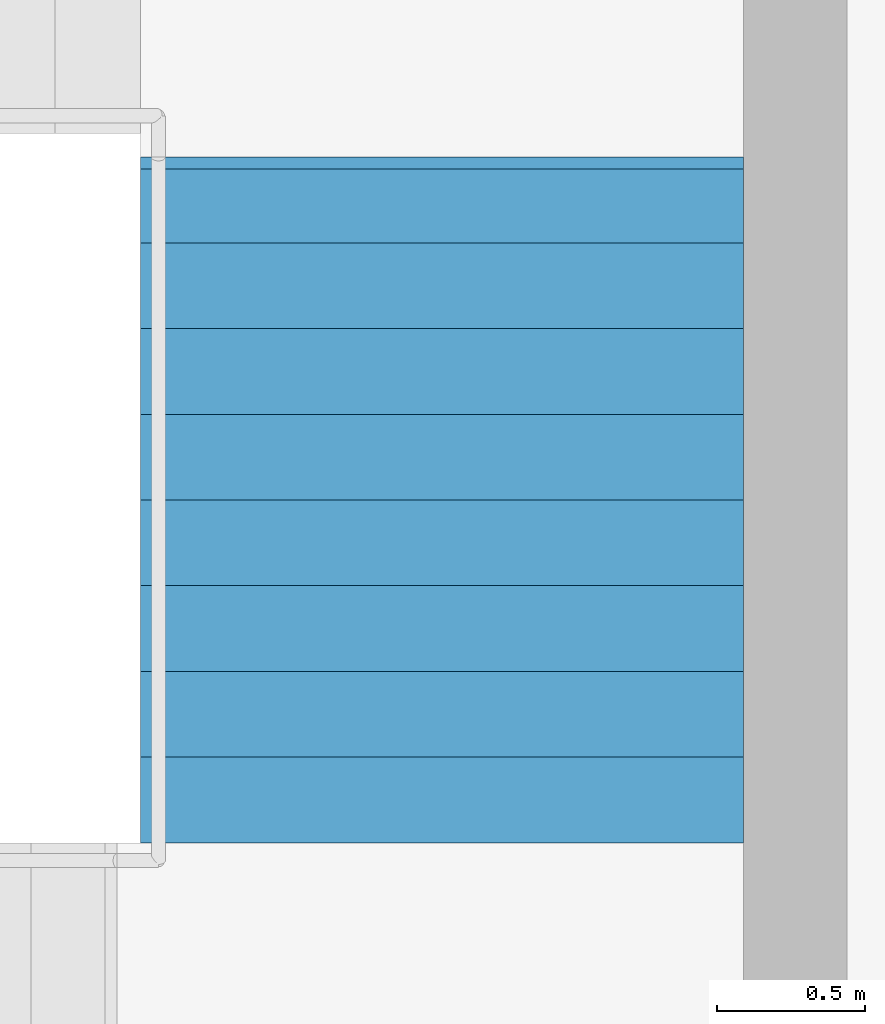
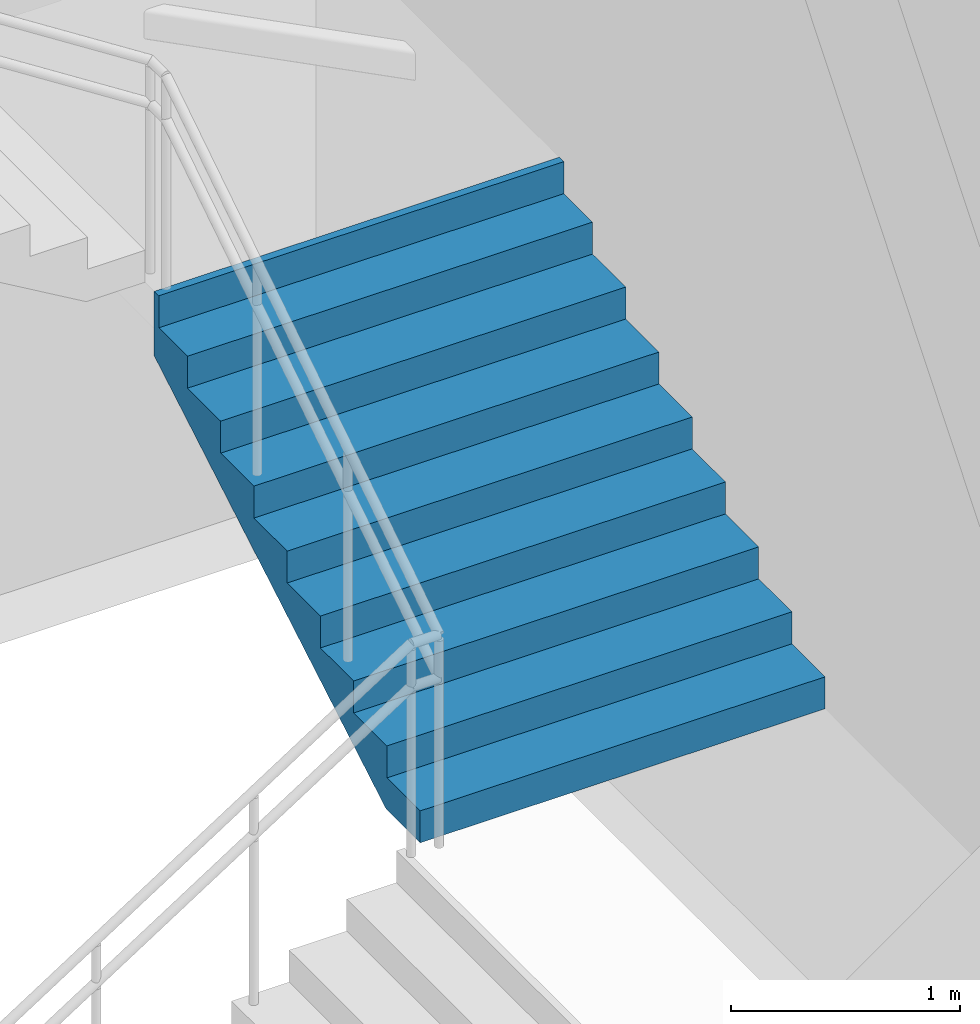
# One storey, part 48 of 58: 1 stair flight, 1 element without a shape of its own.
"""IFC4 building model written with IfcOpenShell, lengths in metres."""

import ifcopenshell
import ifcopenshell.guid

model = None  # the IFC model being written
_history = None  # IfcOwnerHistory: only IFC2X3 demands one
_inside = {}  # id of a spatial element -> (the spatial element, [elements in it])
_under = {}  # id of a project, library or spatial element -> (it, [spatial elements below it])
_declared = {}  # id of a project -> (the project, [libraries it declares])
_typed = {}  # id of a type object -> (the type object, [elements of that type])
_made_of = {}  # id of a material, layer set ... -> (it, [elements and type objects made of it])


def new_model(schema):
    """Start an empty IFC model of exactly this schema.

    Asked for "IFC4X3", IfcOpenShell would pick the latest addendum, in which some entities
    have other attributes; the version numbers below select the first issue.
    IFC2X3 requires an IfcOwnerHistory on every rooted entity: one is made here for all.
    """
    global model, _history
    if schema == "IFC4X3":
        model = ifcopenshell.file(schema_version=(4, 3, 0, 0))
    else:
        model = ifcopenshell.file(schema=schema)
    _inside.clear()
    _under.clear()
    _declared.clear()
    _typed.clear()
    _made_of.clear()
    _history = None
    if model.schema == "IFC2X3":
        org = make("IfcOrganization", Name="unknown")
        user = make(
            "IfcPersonAndOrganization",
            ThePerson=make("IfcPerson", FamilyName="unknown"),
            TheOrganization=org,
        )
        app = make(
            "IfcApplication",
            ApplicationDeveloper=org,
            Version="unknown",
            ApplicationFullName="unknown",
            ApplicationIdentifier="unknown",
        )
        _history = make(
            "IfcOwnerHistory",
            OwningUser=user,
            OwningApplication=app,
            ChangeAction="ADDED",
            CreationDate=0,
        )
    return model


def make(cls, **values):
    """One entity of the class cls with the attributes given. An attribute that is None is left unset."""
    return model.create_entity(
        cls, **{name: value for name, value in values.items() if value is not None}
    )


def rooted(cls, **values):
    """An entity with a GlobalId (a new one), such as an element, a storey or a relation."""
    return make(cls, GlobalId=ifcopenshell.guid.new(), OwnerHistory=_history, **values)


def si_unit(unit_type, name, prefix=None):
    """IfcSIUnit, for example si_unit("LENGTHUNIT", "METRE", prefix="MILLI")."""
    return make("IfcSIUnit", UnitType=unit_type, Prefix=prefix, Name=name)


def assignment(units):
    """IfcUnitAssignment: the units of a project."""
    return None if units is None else make("IfcUnitAssignment", Units=units)


def point(xyz):
    """IfcCartesianPoint."""
    return None if xyz is None else make("IfcCartesianPoint", Coordinates=xyz)


def direction(xyz):
    """IfcDirection."""
    return None if xyz is None else make("IfcDirection", DirectionRatios=xyz)


def frame(location, z_axis=None, x_axis=None):
    """IfcAxis2Placement3D, a coordinate frame: its origin and axes. An axis left out is left unset."""
    return make(
        "IfcAxis2Placement3D",
        Location=point(location),
        Axis=direction(z_axis),
        RefDirection=direction(x_axis),
    )


def origin():
    """The frame at (0, 0, 0) with its axes left unset."""
    return frame((0.0, 0.0, 0.0))


def place(relative_to, where):
    """IfcLocalPlacement: puts the frame where relative to a parent placement (None: the world)."""
    return make(
        "IfcLocalPlacement", PlacementRelTo=relative_to, RelativePlacement=where
    )


def context(
    kind, dimensions, precision=None, world=None, true_north=None, identifier=None
):
    """IfcGeometricRepresentationContext, for example the 3D "Model" context."""
    return make(
        "IfcGeometricRepresentationContext",
        ContextIdentifier=identifier,
        ContextType=kind,
        CoordinateSpaceDimension=dimensions,
        Precision=precision,
        WorldCoordinateSystem=world,
        TrueNorth=true_north,
    )


def subcontext(parent, identifier, kind, view, scale=None):
    """IfcGeometricRepresentationSubContext, for example "Body" below "Model"."""
    return make(
        "IfcGeometricRepresentationSubContext",
        ContextIdentifier=identifier,
        ContextType=kind,
        ParentContext=parent,
        TargetScale=scale,
        TargetView=view,
    )


def project(units=None, contexts=None):
    """IfcProject with its units and contexts."""
    return rooted(
        "IfcProject",
        Name="project",
        RepresentationContexts=contexts,
        UnitsInContext=assignment(units),
    )


def spatial(cls, under=None, at=None, **own):
    """A site, building, storey or space (cls), placed at a placement, below another one or the project."""
    s = rooted(cls, ObjectPlacement=at, **own)
    if under is not None:
        _under.setdefault(under.id(), (under, []))[1].append(s)
    return s


def point_list(points):
    """IfcCartesianPointList2D or 3D."""
    cls = (
        "IfcCartesianPointList2D" if len(points[0]) == 2 else "IfcCartesianPointList3D"
    )
    return make(cls, CoordList=points)


def triangles(points, corners, closed=None, point_numbers=None):
    """IfcTriangulatedFaceSet: each triangle names its three corners, points numbered from 1."""
    return make(
        "IfcTriangulatedFaceSet",
        Coordinates=point_list(points),
        Closed=closed,
        CoordIndex=corners,
        PnIndex=point_numbers,
    )


def shape(context_of_items, identifier, shape_type, items):
    """IfcShapeRepresentation: the items that make up one representation, for example the "Body"."""
    return make(
        "IfcShapeRepresentation",
        ContextOfItems=context_of_items,
        RepresentationIdentifier=identifier,
        RepresentationType=shape_type,
        Items=items,
    )


def material(Name=None, Category=None):
    """IfcMaterial."""
    return make("IfcMaterial", Name=Name, Category=Category)


def made_of(thing, what):
    """Note that an element or type object is made of a material, layer set ...; save() writes the relation."""
    if what is not None:
        _made_of.setdefault(what.id(), (what, []))[1].append(thing)
    return thing


def type_object(cls, material=None, **own):
    """A type object (cls), such as IfcWallType, which elements share."""
    return made_of(rooted(cls, **own), material)


def element(
    cls,
    number,
    at=None,
    inside=None,
    cuts=None,
    type_object=None,
    material=None,
    context=None,
    identifier="Body",
    shape_type=None,
    held_by="IfcProductDefinitionShape",
    body=None,
    shapes=None,
    **own,
):
    """One element of the class cls, such as IfcWall. Its Tag is "e" and its number.

    at: its placement. inside: the storey or other place that contains it. cuts: it is an
    opening in that element (IfcRelVoidsElement). A single representation is given by context,
    identifier, shape_type and body (its items); several are given by shapes. held_by: the class
    of the entity that holds the representations. save() writes the other relations.
    """
    e = rooted(cls, Tag="e%d" % number, ObjectPlacement=at, **own)
    if body is not None:
        shapes = [shape(context, identifier, shape_type, body)]
    if shapes is not None:
        e.Representation = make(held_by, Representations=shapes)
    if inside is not None:
        _inside.setdefault(inside.id(), (inside, []))[1].append(e)
    if cuts is not None:
        rooted(
            "IfcRelVoidsElement", RelatingBuildingElement=cuts, RelatedOpeningElement=e
        )
    if type_object is not None:
        _typed.setdefault(type_object.id(), (type_object, []))[1].append(e)
    return made_of(e, material)


def aggregate(whole, parts):
    """IfcRelAggregates: a whole, such as a stair, and the parts it consists of."""
    return rooted("IfcRelAggregates", RelatingObject=whole, RelatedObjects=parts)


def save(model, path):
    """Write the relations noted so far, then the file.

    IfcRelAggregates (storeys below a building ...), IfcRelContainedInSpatialStructure (elements
    in a storey), IfcRelDefinesByType, IfcRelAssociatesMaterial and IfcRelDeclares: one each for
    every whole, place, type object, material and project.
    """
    for whole, parts in _under.values():
        aggregate(whole, parts)
    for where, things in _inside.values():
        rooted(
            "IfcRelContainedInSpatialStructure",
            RelatedElements=things,
            RelatingStructure=where,
        )
    for kind, things in _typed.values():
        rooted("IfcRelDefinesByType", RelatedObjects=things, RelatingType=kind)
    for what, things in _made_of.values():
        rooted("IfcRelAssociatesMaterial", RelatedObjects=things, RelatingMaterial=what)
    for by, libraries in _declared.values():
        rooted("IfcRelDeclares", RelatingContext=by, RelatedDefinitions=libraries)
    model.write(path)


model = new_model("IFC4")

# Units and contexts
model_context = context("Model", 3, precision=1e-05, world=origin(), true_north=direction((0.0, 1.0)))
body_context = subcontext(model_context, "Body", "Model", "MODEL_VIEW")
ifc_project = project(units=[si_unit("LENGTHUNIT", "METRE"), si_unit("AREAUNIT", "SQUARE_METRE"), si_unit("VOLUMEUNIT", "CUBIC_METRE"), si_unit("PLANEANGLEUNIT", "RADIAN"), si_unit("MASSUNIT", "GRAM", prefix="KILO")], contexts=[model_context])

# Site, building, storey
site_placement = place(None, origin())
site = spatial("IfcSite", under=ifc_project, at=site_placement, CompositionType="ELEMENT")
building_placement = place(site_placement, origin())
building = spatial("IfcBuilding", under=site, at=building_placement, Name="Sillaruma Civic Art Gallery", CompositionType="ELEMENT")
storey_placement = place(building_placement, frame((0.0, 0.0, 22.43994140625)))
storey = spatial("IfcBuildingStorey", under=building, at=storey_placement, Name="L04", CompositionType="ELEMENT", Elevation=22.43994140625)

# Stair, stair flight
ifc_material = material(Name="Concrete H35 (35 MPa)", Category="concrete")
stair_type = type_object("IfcStairType", Name="STR-4F-36", PredefinedType="USERDEFINED", material=ifc_material)
stair_placement = place(storey_placement, origin())
stair = element("IfcStair", 1, at=stair_placement, inside=storey, type_object=stair_type, Name="Protected Exit Stair ST-04 (East Bar) (L04)", ObjectType="THREE_RETURN_STAIR", PredefinedType="USERDEFINED")
stair_flight_type = type_object("IfcStairFlightType", Name="SFL-STR-9", PredefinedType="STRAIGHT", material=ifc_material)
stair_flight_placement = place(storey_placement, frame((104.320068359375, 53.25, 1.530029296875), z_axis=(0.0, 0.0, 1.0), x_axis=(0.0, 1.0, 0.0)))
stair_flight = element("IfcStairFlight", 2, at=stair_flight_placement, type_object=stair_flight_type, Name="ST-04 flight 2", NumberOfRisers=9, NumberOfTreads=8, PredefinedType="STRAIGHT", RiserHeight=0.17, TreadLength=0.29, context=body_context, shape_type="Tessellation", body=[
    triangles([(0.0, -1.02001953125, 0.0), (0.29, -1.02001953125, 0.0), (0.296482, -1.02001953125, 0.0), (0.58, -1.02001953125, 0.1662), (0.87, -1.02001953125, 0.3362), (1.16, -1.02001953125, 0.5062), (1.45, -1.02001953125, 0.6762), (1.74, -1.02001953125, 0.8462), (2.03, -1.02001953125, 1.0162), (2.280068, -1.02001953125, 1.162792), (2.320068, -1.02001953125, 1.18624), (2.320068, -1.02001953125, 1.53), (2.280068, -1.02001953125, 1.53), (2.280068, -1.02001953125, 1.36), (2.03, -1.02001953125, 1.36), (2.03, -1.02001953125, 1.19), (1.74, -1.02001953125, 1.19), (1.74, -1.02001953125, 1.02), (1.45, -1.02001953125, 1.02), (1.45, -1.02001953125, 0.85), (1.16, -1.02001953125, 0.85), (1.16, -1.02001953125, 0.68), (0.87, -1.02001953125, 0.68), (0.87, -1.02001953125, 0.51), (0.58, -1.02001953125, 0.51), (0.58, -1.02001953125, 0.34), (0.296482, -1.02001953125, 0.34), (0.29, -1.02001953125, 0.34), (0.29, -1.02001953125, 0.17), (0.0, -1.02001953125, 0.17), (0.0, -0.05, 0.0), (0.29, -0.05, 0.0), (0.296482, -0.05, 0.0), (0.58, -0.05, 0.1662), (0.87, -0.05, 0.3362), (1.16, -0.05, 0.5062), (1.45, -0.05, 0.6762), (1.74, -0.05, 0.8462), (2.03, -0.05, 1.0162), (2.280068, -0.05, 1.162792), (2.320068, -0.05, 1.18624), (2.320068, -0.05, 1.53), (2.280068, -0.05, 1.53), (2.280068, -0.05, 1.36), (2.03, -0.05, 1.36), (2.03, -0.05, 1.19), (1.74, -0.05, 1.19), (1.74, -0.05, 1.02), (1.45, -0.05, 1.02), (1.45, -0.05, 0.85), (1.16, -0.05, 0.85), (1.16, -0.05, 0.68), (0.87, -0.05, 0.68), (0.87, -0.05, 0.51), (0.58, -0.05, 0.51), (0.58, -0.05, 0.34), (0.296482, -0.05, 0.34), (0.29, -0.05, 0.34), (0.29, -0.05, 0.17), (0.0, -0.05, 0.17), (0.0, -0.0375, 0.0), (0.29, -0.0375, 0.0), (0.296482, -0.0375, 0.0), (0.58, -0.0375, 0.1662), (0.87, -0.0375, 0.3362), (1.16, -0.0375, 0.5062), (1.45, -0.0375, 0.6762), (1.74, -0.0375, 0.8462), (2.03, -0.0375, 1.0162), (2.280068, -0.0375, 1.162792), (2.320068, -0.0375, 1.18624), (2.320068, -0.0375, 1.53), (2.280068, -0.0375, 1.53), (2.280068, -0.0375, 1.36), (2.03, -0.0375, 1.36), (2.03, -0.0375, 1.19), (1.74, -0.0375, 1.19), (1.74, -0.0375, 1.02), (1.45, -0.0375, 1.02), (1.45, -0.0375, 0.85), (1.16, -0.0375, 0.85), (1.16, -0.0375, 0.68), (0.87, -0.0375, 0.68), (0.87, -0.0375, 0.51), (0.58, -0.0375, 0.51), (0.58, -0.0375, 0.34), (0.296482, -0.0375, 0.34), (0.29, -0.0375, 0.34), (0.29, -0.0375, 0.17), (0.0, -0.0375, 0.17), (0.0, -0.025, 0.0), (0.29, -0.025, 0.0), (0.296482, -0.025, 0.0), (0.58, -0.025, 0.1662), (0.87, -0.025, 0.3362), (1.16, -0.025, 0.5062), (1.45, -0.025, 0.6762), (1.74, -0.025, 0.8462), (2.03, -0.025, 1.0162), (2.280068, -0.025, 1.162792), (2.320068, -0.025, 1.18624), (2.320068, -0.025, 1.53), (2.280068, -0.025, 1.53), (2.280068, -0.025, 1.36), (2.03, -0.025, 1.36), (2.03, -0.025, 1.19), (1.74, -0.025, 1.19), (1.74, -0.025, 1.02), (1.45, -0.025, 1.02), (1.45, -0.025, 0.85), (1.16, -0.025, 0.85), (1.16, -0.025, 0.68), (0.87, -0.025, 0.68), (0.87, -0.025, 0.51), (0.58, -0.025, 0.51), (0.58, -0.025, 0.34), (0.296482, -0.025, 0.34), (0.29, -0.025, 0.34), (0.29, -0.025, 0.17), (0.0, -0.025, 0.17), (0.0, -0.0125, 0.0), (0.29, -0.0125, 0.0), (0.296482, -0.0125, 0.0), (0.58, -0.0125, 0.1662), (0.87, -0.0125, 0.3362), (1.16, -0.0125, 0.5062), (1.45, -0.0125, 0.6762), (1.74, -0.0125, 0.8462), (2.03, -0.0125, 1.0162), (2.280068, -0.0125, 1.162792), (2.320068, -0.0125, 1.18624), (2.320068, -0.0125, 1.53), (2.280068, -0.0125, 1.53), (2.280068, -0.0125, 1.36), (2.03, -0.0125, 1.36), (2.03, -0.0125, 1.19), (1.74, -0.0125, 1.19), (1.74, -0.0125, 1.02), (1.45, -0.0125, 1.02), (1.45, -0.0125, 0.85), (1.16, -0.0125, 0.85), (1.16, -0.0125, 0.68), (0.87, -0.0125, 0.68), (0.87, -0.0125, 0.51), (0.58, -0.0125, 0.51), (0.58, -0.0125, 0.34), (0.296482, -0.0125, 0.34), (0.29, -0.0125, 0.34), (0.29, -0.0125, 0.17), (0.0, -0.0125, 0.17), (0.0, 0.0, 0.0), (0.29, 0.0, 0.0), (0.296482, 0.0, 0.0), (0.58, 0.0, 0.1662), (0.87, 0.0, 0.3362), (1.16, 0.0, 0.5062), (1.45, 0.0, 0.6762), (1.74, 0.0, 0.8462), (2.03, 0.0, 1.0162), (2.280068, 0.0, 1.162792), (2.320068, 0.0, 1.18624), (2.320068, 0.0, 1.53), (2.280068, 0.0, 1.53), (2.280068, 0.0, 1.36), (2.03, 0.0, 1.36), (2.03, 0.0, 1.19), (1.74, 0.0, 1.19), (1.74, 0.0, 1.02), (1.45, 0.0, 1.02), (1.45, 0.0, 0.85), (1.16, 0.0, 0.85), (1.16, 0.0, 0.68), (0.87, 0.0, 0.68), (0.87, 0.0, 0.51), (0.58, 0.0, 0.51), (0.58, 0.0, 0.34), (0.296482, 0.0, 0.34), (0.29, 0.0, 0.34), (0.29, 0.0, 0.17), (0.0, 0.0, 0.17), (0.0, 0.0125, 0.0), (0.29, 0.0125, 0.0), (0.296482, 0.0125, 0.0), (0.58, 0.0125, 0.1662), (0.87, 0.0125, 0.3362), (1.16, 0.0125, 0.5062), (1.45, 0.0125, 0.6762), (1.74, 0.0125, 0.8462), (2.03, 0.0125, 1.0162), (2.280068, 0.0125, 1.162792), (2.320068, 0.0125, 1.18624), (2.320068, 0.0125, 1.53), (2.280068, 0.0125, 1.53), (2.280068, 0.0125, 1.36), (2.03, 0.0125, 1.36), (2.03, 0.0125, 1.19), (1.74, 0.0125, 1.19), (1.74, 0.0125, 1.02), (1.45, 0.0125, 1.02), (1.45, 0.0125, 0.85), (1.16, 0.0125, 0.85), (1.16, 0.0125, 0.68), (0.87, 0.0125, 0.68), (0.87, 0.0125, 0.51), (0.58, 0.0125, 0.51), (0.58, 0.0125, 0.34), (0.296482, 0.0125, 0.34), (0.29, 0.0125, 0.34), (0.29, 0.0125, 0.17), (0.0, 0.0125, 0.17), (0.0, 0.025, 0.0), (0.29, 0.025, 0.0), (0.296482, 0.025, 0.0), (0.58, 0.025, 0.1662), (0.87, 0.025, 0.3362), (1.16, 0.025, 0.5062), (1.45, 0.025, 0.6762), (1.74, 0.025, 0.8462), (2.03, 0.025, 1.0162), (2.280068, 0.025, 1.162792), (2.320068, 0.025, 1.18624), (2.320068, 0.025, 1.53), (2.280068, 0.025, 1.53), (2.280068, 0.025, 1.36), (2.03, 0.025, 1.36), (2.03, 0.025, 1.19), (1.74, 0.025, 1.19), (1.74, 0.025, 1.02), (1.45, 0.025, 1.02), (1.45, 0.025, 0.85), (1.16, 0.025, 0.85), (1.16, 0.025, 0.68), (0.87, 0.025, 0.68), (0.87, 0.025, 0.51), (0.58, 0.025, 0.51), (0.58, 0.025, 0.34), (0.296482, 0.025, 0.34), (0.29, 0.025, 0.34), (0.29, 0.025, 0.17), (0.0, 0.025, 0.17), (0.0, 0.0375, 0.0), (0.29, 0.0375, 0.0), (0.296482, 0.0375, 0.0), (0.58, 0.0375, 0.1662), (0.87, 0.0375, 0.3362), (1.16, 0.0375, 0.5062), (1.45, 0.0375, 0.6762), (1.74, 0.0375, 0.8462), (2.03, 0.0375, 1.0162), (2.280068, 0.0375, 1.162792), (2.320068, 0.0375, 1.18624), (2.320068, 0.0375, 1.53), (2.280068, 0.0375, 1.53), (2.280068, 0.0375, 1.36), (2.03, 0.0375, 1.36), (2.03, 0.0375, 1.19), (1.74, 0.0375, 1.19), (1.74, 0.0375, 1.02), (1.45, 0.0375, 1.02), (1.45, 0.0375, 0.85), (1.16, 0.0375, 0.85), (1.16, 0.0375, 0.68), (0.87, 0.0375, 0.68), (0.87, 0.0375, 0.51), (0.58, 0.0375, 0.51), (0.58, 0.0375, 0.34), (0.296482, 0.0375, 0.34), (0.29, 0.0375, 0.34), (0.29, 0.0375, 0.17), (0.0, 0.0375, 0.17), (0.0, 0.05, 0.0), (0.29, 0.05, 0.0), (0.296482, 0.05, 0.0), (0.58, 0.05, 0.1662), (0.87, 0.05, 0.3362), (1.16, 0.05, 0.5062), (1.45, 0.05, 0.6762), (1.74, 0.05, 0.8462), (2.03, 0.05, 1.0162), (2.280068, 0.05, 1.162792), (2.320068, 0.05, 1.18624), (2.320068, 0.05, 1.53), (2.280068, 0.05, 1.53), (2.280068, 0.05, 1.36), (2.03, 0.05, 1.36), (2.03, 0.05, 1.19), (1.74, 0.05, 1.19), (1.74, 0.05, 1.02), (1.45, 0.05, 1.02), (1.45, 0.05, 0.85), (1.16, 0.05, 0.85), (1.16, 0.05, 0.68), (0.87, 0.05, 0.68), (0.87, 0.05, 0.51), (0.58, 0.05, 0.51), (0.58, 0.05, 0.34), (0.296482, 0.05, 0.34), (0.29, 0.05, 0.34), (0.29, 0.05, 0.17), (0.0, 0.05, 0.17), (0.0, 1.02001953125, 0.0), (0.29, 1.02001953125, 0.0), (0.296482, 1.02001953125, 0.0), (0.58, 1.02001953125, 0.1662), (0.87, 1.02001953125, 0.3362), (1.16, 1.02001953125, 0.5062), (1.45, 1.02001953125, 0.6762), (1.74, 1.02001953125, 0.8462), (2.03, 1.02001953125, 1.0162), (2.280068, 1.02001953125, 1.162792), (2.320068, 1.02001953125, 1.18624), (2.320068, 1.02001953125, 1.53), (2.280068, 1.02001953125, 1.53), (2.280068, 1.02001953125, 1.36), (2.03, 1.02001953125, 1.36), (2.03, 1.02001953125, 1.19), (1.74, 1.02001953125, 1.19), (1.74, 1.02001953125, 1.02), (1.45, 1.02001953125, 1.02), (1.45, 1.02001953125, 0.85), (1.16, 1.02001953125, 0.85), (1.16, 1.02001953125, 0.68), (0.87, 1.02001953125, 0.68), (0.87, 1.02001953125, 0.51), (0.58, 1.02001953125, 0.51), (0.58, 1.02001953125, 0.34), (0.296482, 1.02001953125, 0.34), (0.29, 1.02001953125, 0.34), (0.29, 1.02001953125, 0.17), (0.0, 1.02001953125, 0.17)], [[1, 2, 29], [1, 29, 30], [2, 3, 27], [2, 27, 29], [29, 27, 28], [3, 4, 26], [3, 26, 27], [4, 5, 24], [4, 24, 26], [26, 24, 25], [5, 6, 22], [5, 22, 24], [24, 22, 23], [6, 7, 20], [6, 20, 22], [22, 20, 21], [7, 8, 18], [7, 18, 20], [20, 18, 19], [8, 9, 16], [8, 16, 18], [18, 16, 17], [9, 10, 14], [9, 14, 16], [16, 14, 15], [10, 11, 12], [10, 12, 14], [14, 12, 13], [329, 302, 301], [330, 329, 301], [327, 303, 302], [329, 327, 302], [328, 327, 329], [326, 304, 303], [327, 326, 303], [324, 305, 304], [326, 324, 304], [325, 324, 326], [322, 306, 305], [324, 322, 305], [323, 322, 324], [320, 307, 306], [322, 320, 306], [321, 320, 322], [318, 308, 307], [320, 318, 307], [319, 318, 320], [316, 309, 308], [318, 316, 308], [317, 316, 318], [314, 310, 309], [316, 314, 309], [315, 314, 316], [312, 311, 310], [314, 312, 310], [313, 312, 314], [2, 1, 31], [2, 31, 32], [3, 2, 32], [3, 32, 33], [4, 3, 33], [4, 33, 34], [5, 4, 34], [5, 34, 35], [6, 5, 35], [6, 35, 36], [7, 6, 36], [7, 36, 37], [8, 7, 37], [8, 37, 38], [9, 8, 38], [9, 38, 39], [10, 9, 39], [10, 39, 40], [11, 10, 40], [11, 40, 41], [12, 11, 41], [12, 41, 42], [13, 12, 42], [13, 42, 43], [14, 13, 43], [14, 43, 44], [15, 14, 44], [15, 44, 45], [16, 15, 45], [16, 45, 46], [17, 16, 46], [17, 46, 47], [18, 17, 47], [18, 47, 48], [19, 18, 48], [19, 48, 49], [20, 19, 49], [20, 49, 50], [21, 20, 50], [21, 50, 51], [22, 21, 51], [22, 51, 52], [23, 22, 52], [23, 52, 53], [24, 23, 53], [24, 53, 54], [25, 24, 54], [25, 54, 55], [26, 25, 55], [26, 55, 56], [27, 26, 56], [27, 56, 57], [28, 27, 57], [28, 57, 58], [29, 28, 58], [29, 58, 59], [30, 29, 59], [30, 59, 60], [1, 30, 60], [1, 60, 31], [32, 31, 61], [32, 61, 62], [33, 32, 62], [33, 62, 63], [34, 33, 63], [34, 63, 64], [35, 34, 64], [35, 64, 65], [36, 35, 65], [36, 65, 66], [37, 36, 66], [37, 66, 67], [38, 37, 67], [38, 67, 68], [39, 38, 68], [39, 68, 69], [40, 39, 69], [40, 69, 70], [41, 40, 70], [41, 70, 71], [42, 41, 71], [42, 71, 72], [43, 42, 72], [43, 72, 73], [44, 43, 73], [44, 73, 74], [45, 44, 74], [45, 74, 75], [46, 45, 75], [46, 75, 76], [47, 46, 76], [47, 76, 77], [48, 47, 77], [48, 77, 78], [49, 48, 78], [49, 78, 79], [50, 49, 79], [50, 79, 80], [51, 50, 80], [51, 80, 81], [52, 51, 81], [52, 81, 82], [53, 52, 82], [53, 82, 83], [54, 53, 83], [54, 83, 84], [55, 54, 84], [55, 84, 85], [56, 55, 85], [56, 85, 86], [57, 56, 86], [57, 86, 87], [58, 57, 87], [58, 87, 88], [59, 58, 88], [59, 88, 89], [60, 59, 89], [60, 89, 90], [31, 60, 90], [31, 90, 61], [62, 61, 91], [62, 91, 92], [63, 62, 92], [63, 92, 93], [64, 63, 93], [64, 93, 94], [65, 64, 94], [65, 94, 95], [66, 65, 95], [66, 95, 96], [67, 66, 96], [67, 96, 97], [68, 67, 97], [68, 97, 98], [69, 68, 98], [69, 98, 99], [70, 69, 99], [70, 99, 100], [71, 70, 100], [71, 100, 101], [72, 71, 101], [72, 101, 102], [73, 72, 102], [73, 102, 103], [74, 73, 103], [74, 103, 104], [75, 74, 104], [75, 104, 105], [76, 75, 105], [76, 105, 106], [77, 76, 106], [77, 106, 107], [78, 77, 107], [78, 107, 108], [79, 78, 108], [79, 108, 109], [80, 79, 109], [80, 109, 110], [81, 80, 110], [81, 110, 111], [82, 81, 111], [82, 111, 112], [83, 82, 112], [83, 112, 113], [84, 83, 113], [84, 113, 114], [85, 84, 114], [85, 114, 115], [86, 85, 115], [86, 115, 116], [87, 86, 116], [87, 116, 117], [88, 87, 117], [88, 117, 118], [89, 88, 118], [89, 118, 119], [90, 89, 119], [90, 119, 120], [61, 90, 120], [61, 120, 91], [92, 91, 121], [92, 121, 122], [93, 92, 122], [93, 122, 123], [94, 93, 123], [94, 123, 124], [95, 94, 124], [95, 124, 125], [96, 95, 125], [96, 125, 126], [97, 96, 126], [97, 126, 127], [98, 97, 127], [98, 127, 128], [99, 98, 128], [99, 128, 129], [100, 99, 129], [100, 129, 130], [101, 100, 130], [101, 130, 131], [102, 101, 131], [102, 131, 132], [103, 102, 132], [103, 132, 133], [104, 103, 133], [104, 133, 134], [105, 104, 134], [105, 134, 135], [106, 105, 135], [106, 135, 136], [107, 106, 136], [107, 136, 137], [108, 107, 137], [108, 137, 138], [109, 108, 138], [109, 138, 139], [110, 109, 139], [110, 139, 140], [111, 110, 140], [111, 140, 141], [112, 111, 141], [112, 141, 142], [113, 112, 142], [113, 142, 143], [114, 113, 143], [114, 143, 144], [115, 114, 144], [115, 144, 145], [116, 115, 145], [116, 145, 146], [117, 116, 146], [117, 146, 147], [118, 117, 147], [118, 147, 148], [119, 118, 148], [119, 148, 149], [120, 119, 149], [120, 149, 150], [91, 120, 150], [91, 150, 121], [122, 121, 151], [122, 151, 152], [123, 122, 152], [123, 152, 153], [124, 123, 153], [124, 153, 154], [125, 124, 154], [125, 154, 155], [126, 125, 155], [126, 155, 156], [127, 126, 156], [127, 156, 157], [128, 127, 157], [128, 157, 158], [129, 128, 158], [129, 158, 159], [130, 129, 159], [130, 159, 160], [131, 130, 160], [131, 160, 161], [132, 131, 161], [132, 161, 162], [133, 132, 162], [133, 162, 163], [134, 133, 163], [134, 163, 164], [135, 134, 164], [135, 164, 165], [136, 135, 165], [136, 165, 166], [137, 136, 166], [137, 166, 167], [138, 137, 167], [138, 167, 168], [139, 138, 168], [139, 168, 169], [140, 139, 169], [140, 169, 170], [141, 140, 170], [141, 170, 171], [142, 141, 171], [142, 171, 172], [143, 142, 172], [143, 172, 173], [144, 143, 173], [144, 173, 174], [145, 144, 174], [145, 174, 175], [146, 145, 175], [146, 175, 176], [147, 146, 176], [147, 176, 177], [148, 147, 177], [148, 177, 178], [149, 148, 178], [149, 178, 179], [150, 149, 179], [150, 179, 180], [121, 150, 180], [121, 180, 151], [152, 151, 181], [152, 181, 182], [153, 152, 182], [153, 182, 183], [154, 153, 183], [154, 183, 184], [155, 154, 184], [155, 184, 185], [156, 155, 185], [156, 185, 186], [157, 156, 186], [157, 186, 187], [158, 157, 187], [158, 187, 188], [159, 158, 188], [159, 188, 189], [160, 159, 189], [160, 189, 190], [161, 160, 190], [161, 190, 191], [162, 161, 191], [162, 191, 192], [163, 162, 192], [163, 192, 193], [164, 163, 193], [164, 193, 194], [165, 164, 194], [165, 194, 195], [166, 165, 195], [166, 195, 196], [167, 166, 196], [167, 196, 197], [168, 167, 197], [168, 197, 198], [169, 168, 198], [169, 198, 199], [170, 169, 199], [170, 199, 200], [171, 170, 200], [171, 200, 201], [172, 171, 201], [172, 201, 202], [173, 172, 202], [173, 202, 203], [174, 173, 203], [174, 203, 204], [175, 174, 204], [175, 204, 205], [176, 175, 205], [176, 205, 206], [177, 176, 206], [177, 206, 207], [178, 177, 207], [178, 207, 208], [179, 178, 208], [179, 208, 209], [180, 179, 209], [180, 209, 210], [151, 180, 210], [151, 210, 181], [182, 181, 211], [182, 211, 212], [183, 182, 212], [183, 212, 213], [184, 183, 213], [184, 213, 214], [185, 184, 214], [185, 214, 215], [186, 185, 215], [186, 215, 216], [187, 186, 216], [187, 216, 217], [188, 187, 217], [188, 217, 218], [189, 188, 218], [189, 218, 219], [190, 189, 219], [190, 219, 220], [191, 190, 220], [191, 220, 221], [192, 191, 221], [192, 221, 222], [193, 192, 222], [193, 222, 223], [194, 193, 223], [194, 223, 224], [195, 194, 224], [195, 224, 225], [196, 195, 225], [196, 225, 226], [197, 196, 226], [197, 226, 227], [198, 197, 227], [198, 227, 228], [199, 198, 228], [199, 228, 229], [200, 199, 229], [200, 229, 230], [201, 200, 230], [201, 230, 231], [202, 201, 231], [202, 231, 232], [203, 202, 232], [203, 232, 233], [204, 203, 233], [204, 233, 234], [205, 204, 234], [205, 234, 235], [206, 205, 235], [206, 235, 236], [207, 206, 236], [207, 236, 237], [208, 207, 237], [208, 237, 238], [209, 208, 238], [209, 238, 239], [210, 209, 239], [210, 239, 240], [181, 210, 240], [181, 240, 211], [212, 211, 241], [212, 241, 242], [213, 212, 242], [213, 242, 243], [214, 213, 243], [214, 243, 244], [215, 214, 244], [215, 244, 245], [216, 215, 245], [216, 245, 246], [217, 216, 246], [217, 246, 247], [218, 217, 247], [218, 247, 248], [219, 218, 248], [219, 248, 249], [220, 219, 249], [220, 249, 250], [221, 220, 250], [221, 250, 251], [222, 221, 251], [222, 251, 252], [223, 222, 252], [223, 252, 253], [224, 223, 253], [224, 253, 254], [225, 224, 254], [225, 254, 255], [226, 225, 255], [226, 255, 256], [227, 226, 256], [227, 256, 257], [228, 227, 257], [228, 257, 258], [229, 228, 258], [229, 258, 259], [230, 229, 259], [230, 259, 260], [231, 230, 260], [231, 260, 261], [232, 231, 261], [232, 261, 262], [233, 232, 262], [233, 262, 263], [234, 233, 263], [234, 263, 264], [235, 234, 264], [235, 264, 265], [236, 235, 265], [236, 265, 266], [237, 236, 266], [237, 266, 267], [238, 237, 267], [238, 267, 268], [239, 238, 268], [239, 268, 269], [240, 239, 269], [240, 269, 270], [211, 240, 270], [211, 270, 241], [242, 241, 271], [242, 271, 272], [243, 242, 272], [243, 272, 273], [244, 243, 273], [244, 273, 274], [245, 244, 274], [245, 274, 275], [246, 245, 275], [246, 275, 276], [247, 246, 276], [247, 276, 277], [248, 247, 277], [248, 277, 278], [249, 248, 278], [249, 278, 279], [250, 249, 279], [250, 279, 280], [251, 250, 280], [251, 280, 281], [252, 251, 281], [252, 281, 282], [253, 252, 282], [253, 282, 283], [254, 253, 283], [254, 283, 284], [255, 254, 284], [255, 284, 285], [256, 255, 285], [256, 285, 286], [257, 256, 286], [257, 286, 287], [258, 257, 287], [258, 287, 288], [259, 258, 288], [259, 288, 289], [260, 259, 289], [260, 289, 290], [261, 260, 290], [261, 290, 291], [262, 261, 291], [262, 291, 292], [263, 262, 292], [263, 292, 293], [264, 263, 293], [264, 293, 294], [265, 264, 294], [265, 294, 295], [266, 265, 295], [266, 295, 296], [267, 266, 296], [267, 296, 297], [268, 267, 297], [268, 297, 298], [269, 268, 298], [269, 298, 299], [270, 269, 299], [270, 299, 300], [241, 270, 300], [241, 300, 271], [272, 271, 301], [272, 301, 302], [273, 272, 302], [273, 302, 303], [274, 273, 303], [274, 303, 304], [275, 274, 304], [275, 304, 305], [276, 275, 305], [276, 305, 306], [277, 276, 306], [277, 306, 307], [278, 277, 307], [278, 307, 308], [279, 278, 308], [279, 308, 309], [280, 279, 309], [280, 309, 310], [281, 280, 310], [281, 310, 311], [282, 281, 311], [282, 311, 312], [283, 282, 312], [283, 312, 313], [284, 283, 313], [284, 313, 314], [285, 284, 314], [285, 314, 315], [286, 285, 315], [286, 315, 316], [287, 286, 316], [287, 316, 317], [288, 287, 317], [288, 317, 318], [289, 288, 318], [289, 318, 319], [290, 289, 319], [290, 319, 320], [291, 290, 320], [291, 320, 321], [292, 291, 321], [292, 321, 322], [293, 292, 322], [293, 322, 323], [294, 293, 323], [294, 323, 324], [295, 294, 324], [295, 324, 325], [296, 295, 325], [296, 325, 326], [297, 296, 326], [297, 326, 327], [298, 297, 327], [298, 327, 328], [299, 298, 328], [299, 328, 329], [300, 299, 329], [300, 329, 330], [271, 300, 330], [271, 330, 301]], closed=True),
])
aggregate(stair, [stair_flight])

save(model, "model.ifc")
